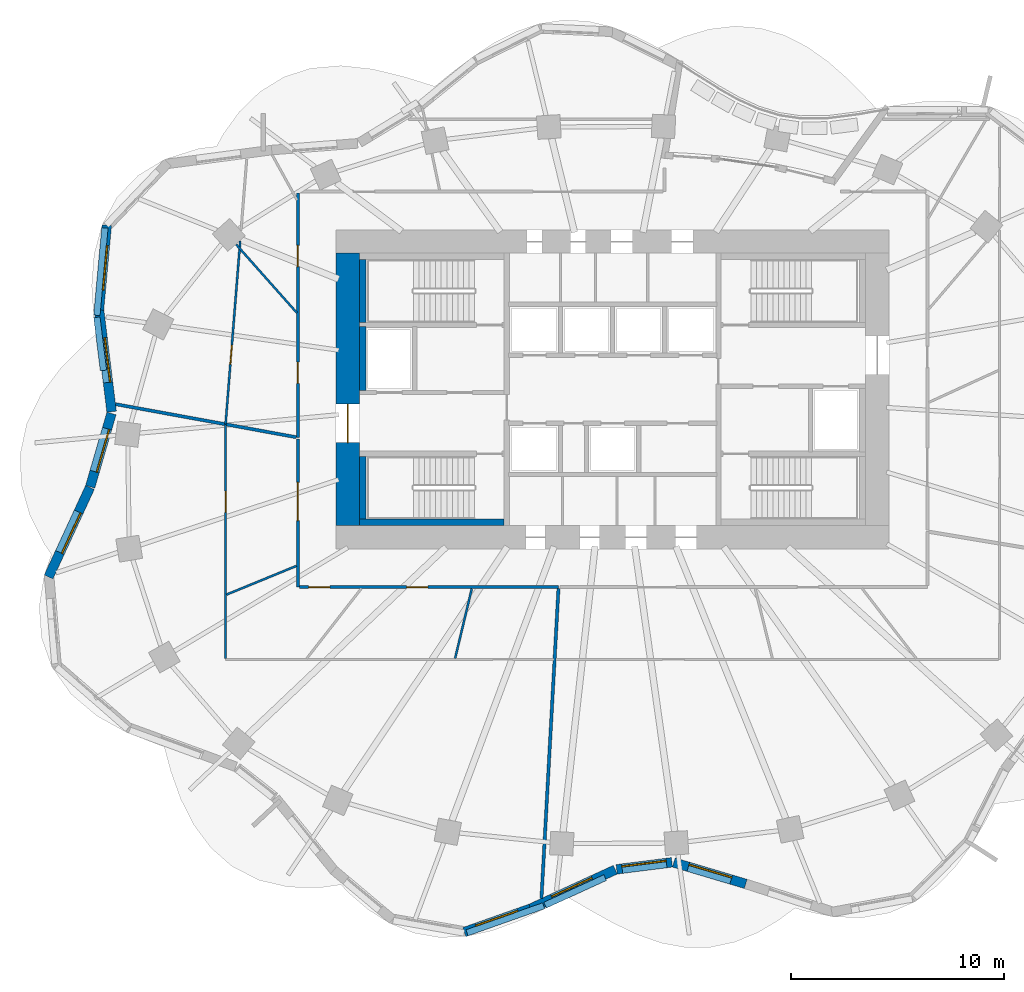
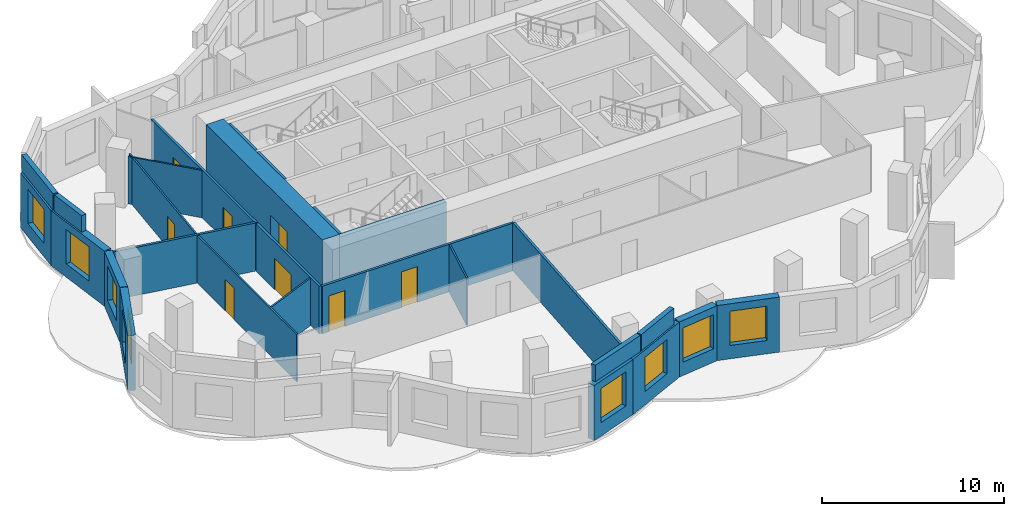
# One storey, part 5 of 11: 27 walls, 8 doors, 8 windows, 16 openings.
"""IFC4 building model written with IfcOpenShell, lengths in metres."""

from ifc_helpers import new_model, si_unit, direction, frame, frame_2d, origin, place, context, subcontext, project, spatial, rectangle, extrude, material, layer, layer_set, type_object, element, fill, save


model = new_model("IFC4")

# Units and contexts
model_context = context("Model", 3, precision=1e-05, world=origin(), true_north=direction((0.0, 1.0)))
body_context = subcontext(model_context, "Body", "Model", "MODEL_VIEW")
ifc_project = project(units=[si_unit("LENGTHUNIT", "METRE"), si_unit("AREAUNIT", "SQUARE_METRE"), si_unit("VOLUMEUNIT", "CUBIC_METRE"), si_unit("PLANEANGLEUNIT", "RADIAN"), si_unit("MASSUNIT", "GRAM", prefix="KILO")], contexts=[model_context])

# Site, building, storey
site_placement = place(None, origin())
site = spatial("IfcSite", under=ifc_project, at=site_placement, CompositionType="ELEMENT")
building_placement = place(site_placement, origin())
building = spatial("IfcBuilding", under=site, at=building_placement, Name="Rubra Terraces Tower", CompositionType="ELEMENT")
storey_placement = place(building_placement, frame((0.0, 0.0, 146.10009765625)))
storey = spatial("IfcBuildingStorey", under=building, at=storey_placement, Name="L35", CompositionType="ELEMENT", Elevation=146.10009765625)

# Wall, opening, window
ifc_material_1 = material(Name="Brick masonry red-brown", Category="masonry")
ifc_layer_1 = layer(ifc_material_1, 0.449951171875)
ifc_layer_set_1 = layer_set([ifc_layer_1], Name="Brick masonry red-brown")
wall_type_1 = type_object("IfcWallType", Name="Brick facade wall 450", PredefinedType="SOLIDWALL", material=ifc_layer_set_1)
wall_1_placement = place(storey_placement, frame((-23.787841796875, 12.21435546875, 0.0), z_axis=(0.0, 0.0, 1.0), x_axis=(-0.091885237351, -0.995769603451, 0.0)))
wall_1 = element("IfcWall", 1, at=wall_1_placement, inside=storey, type_object=wall_type_1, Name="Facade wall L35 bay 18", PredefinedType="SOLIDWALL", context=body_context, shape_type="SweptSolid", body=[
    extrude(rectangle(XDim=3.99609375, YDim=0.449951171875, at=frame_2d((1.998046875, 0.0))), origin(), (0.0, 0.0, 1.0), 3.699951171875),
])
opening_1_placement = place(wall_1_placement, frame((0.947998046875, 0.0, 0.89990234375)))
opening_1 = element("IfcOpeningElement", 2, at=opening_1_placement, cuts=wall_1, Name="Opening W1B", PredefinedType="OPENING", context=body_context, shape_type="SweptSolid", body=[
    extrude(rectangle(XDim=2.10009765625, YDim=2.300048828125, at=frame_2d((1.050048828125, 1.14990234375))), frame((0.0, 0.23486328125, 0.0), z_axis=(0.0, -1.0, 0.0), x_axis=(1.0, 0.0, 0.0)), (0.0, 0.0, 1.0), 0.469970703125),
])
ifc_material_2 = material(Name="Clear glass in aluminium frame", Category="aluminium")
window_type = type_object("IfcWindowType", Name="Fixed deep-set window tall storey 2100 x 2300", PartitioningType="SINGLE_PANEL", PredefinedType="WINDOW", material=ifc_material_2)
window_1_placement = place(opening_1_placement, origin())
window_1 = element("IfcWindow", 3, at=window_1_placement, inside=storey, type_object=window_type, Name="Window L35 bay 18", OverallHeight=2.300048828125, OverallWidth=2.10009765625, PartitioningType="SINGLE_PANEL", PredefinedType="WINDOW", context=body_context, shape_type="SweptSolid", body=[
    extrude(rectangle(XDim=2.10009765625, YDim=2.300048828125, at=frame_2d((1.050048828125, 1.14990234375))), frame((0.0, 0.135009765625, 0.0), z_axis=(0.0, -1.0, 0.0), x_axis=(1.0, 0.0, 0.0)), (0.0, 0.0, 1.0), 0.06005859375),
])
fill(opening_1, window_1)

wall_2_placement = place(storey_placement, frame((-24.15576171875, 8.283203125, 0.0), z_axis=(0.0, 0.0, 1.0), x_axis=(0.122319995681, -0.992490714645, 0.0)))
wall_2 = element("IfcWall", 4, at=wall_2_placement, inside=storey, type_object=wall_type_1, Name="Facade wall L35 bay 19", PredefinedType="SOLIDWALL", context=body_context, shape_type="SweptSolid", body=[
    extrude(rectangle(XDim=4.8720703125, YDim=0.449951171875, at=frame_2d((2.43603515625, 0.0))), origin(), (0.0, 0.0, 1.0), 3.699951171875),
])
opening_2_placement = place(wall_2_placement, frame((1.385986328125, 0.0, 0.89990234375)))
opening_2 = element("IfcOpeningElement", 5, at=opening_2_placement, cuts=wall_2, Name="Opening W1B", PredefinedType="OPENING", context=body_context, shape_type="SweptSolid", body=[
    extrude(rectangle(XDim=2.10009765625, YDim=2.300048828125, at=frame_2d((1.050048828125, 1.14990234375))), frame((0.0, 0.23486328125, 0.0), z_axis=(0.0, -1.0, 0.0), x_axis=(1.0, 0.0, 0.0)), (0.0, 0.0, 1.0), 0.469970703125),
])
window_2_placement = place(opening_2_placement, origin())
window_2 = element("IfcWindow", 6, at=window_2_placement, inside=storey, type_object=window_type, Name="Window L35 bay 19", OverallHeight=2.300048828125, OverallWidth=2.10009765625, PartitioningType="SINGLE_PANEL", PredefinedType="WINDOW", context=body_context, shape_type="SweptSolid", body=[
    extrude(rectangle(XDim=2.10009765625, YDim=2.300048828125, at=frame_2d((1.050048828125, 1.14990234375))), frame((0.0, 0.135009765625, 0.0), z_axis=(0.0, -1.0, 0.0), x_axis=(1.0, 0.0, 0.0)), (0.0, 0.0, 1.0), 0.06005859375),
])
fill(opening_2, window_2)

wall_3_placement = place(storey_placement, frame((-23.565185546875, 3.363525390625, 0.0), z_axis=(0.0, 0.0, 1.0), x_axis=(-0.279148198653, -0.960248032119, 0.0)))
wall_3 = element("IfcWall", 7, at=wall_3_placement, inside=storey, type_object=wall_type_1, Name="Facade wall L35 bay 20", PredefinedType="SOLIDWALL", context=body_context, shape_type="SweptSolid", body=[
    extrude(rectangle(XDim=3.58837890625, YDim=0.449951171875, at=frame_2d((1.794189453125, 0.0))), origin(), (0.0, 0.0, 1.0), 3.699951171875),
])
opening_3_placement = place(wall_3_placement, frame((0.744140625, 0.0, 0.89990234375)))
opening_3 = element("IfcOpeningElement", 8, at=opening_3_placement, cuts=wall_3, Name="Opening W1B", PredefinedType="OPENING", context=body_context, shape_type="SweptSolid", body=[
    extrude(rectangle(XDim=2.10009765625, YDim=2.300048828125, at=frame_2d((1.050048828125, 1.14990234375))), frame((0.0, 0.23486328125, 0.0), z_axis=(0.0, -1.0, 0.0), x_axis=(1.0, 0.0, 0.0)), (0.0, 0.0, 1.0), 0.469970703125),
])
window_3_placement = place(opening_3_placement, origin())
window_3 = element("IfcWindow", 9, at=window_3_placement, inside=storey, type_object=window_type, Name="Window L35 bay 20", OverallHeight=2.300048828125, OverallWidth=2.10009765625, PartitioningType="SINGLE_PANEL", PredefinedType="WINDOW", context=body_context, shape_type="SweptSolid", body=[
    extrude(rectangle(XDim=2.10009765625, YDim=2.300048828125, at=frame_2d((1.050048828125, 1.14990234375))), frame((0.0, 0.135009765625, 0.0), z_axis=(0.0, -1.0, 0.0), x_axis=(1.0, 0.0, 0.0)), (0.0, 0.0, 1.0), 0.06005859375),
])
fill(opening_3, window_3)

wall_4_placement = place(storey_placement, frame((-24.57861328125, -0.115478515625, 0.0), z_axis=(0.0, 0.0, 1.0), x_axis=(-0.419535648317, -0.907738861012, 0.0)))
wall_4 = element("IfcWall", 10, at=wall_4_placement, inside=storey, type_object=wall_type_1, Name="Facade wall L35 bay 21", PredefinedType="SOLIDWALL", context=body_context, shape_type="SweptSolid", body=[
    extrude(rectangle(XDim=4.63623046875, YDim=0.449951171875, at=frame_2d((2.318115234375, 0.0))), origin(), (0.0, 0.0, 1.0), 3.699951171875),
])
opening_4_placement = place(wall_4_placement, frame((1.26806640625, 0.0, 0.89990234375)))
opening_4 = element("IfcOpeningElement", 11, at=opening_4_placement, cuts=wall_4, Name="Opening W1B", PredefinedType="OPENING", context=body_context, shape_type="SweptSolid", body=[
    extrude(rectangle(XDim=2.10009765625, YDim=2.300048828125, at=frame_2d((1.050048828125, 1.14990234375))), frame((0.0, 0.23486328125, 0.0), z_axis=(0.0, -1.0, 0.0), x_axis=(1.0, 0.0, 0.0)), (0.0, 0.0, 1.0), 0.469970703125),
])
window_4_placement = place(opening_4_placement, origin())
window_4 = element("IfcWindow", 12, at=window_4_placement, inside=storey, type_object=window_type, Name="Window L35 bay 21", OverallHeight=2.300048828125, OverallWidth=2.10009765625, PartitioningType="SINGLE_PANEL", PredefinedType="WINDOW", context=body_context, shape_type="SweptSolid", body=[
    extrude(rectangle(XDim=2.10009765625, YDim=2.300048828125, at=frame_2d((1.050048828125, 1.14990234375))), frame((0.0, 0.135009765625, 0.0), z_axis=(0.0, -1.0, 0.0), x_axis=(1.0, 0.0, 0.0)), (0.0, 0.0, 1.0), 0.06005859375),
])
fill(opening_4, window_4)

wall_5_placement = place(storey_placement, frame((-6.973876953125, -21.020751953125, 0.0), z_axis=(0.0, 0.0, 1.0), x_axis=(0.94304763908, 0.3326577076, 0.0)))
wall_5 = element("IfcWall", 13, at=wall_5_placement, inside=storey, type_object=wall_type_1, Name="Facade wall L35 bay 29", PredefinedType="SOLIDWALL", context=body_context, shape_type="SweptSolid", body=[
    extrude(rectangle(XDim=3.302490234375, YDim=0.449951171875, at=frame_2d((1.6513671875, 0.0))), origin(), (0.0, 0.0, 1.0), 3.699951171875),
])
opening_5_placement = place(wall_5_placement, frame((0.601318359375, 0.0, 0.89990234375)))
opening_5 = element("IfcOpeningElement", 14, at=opening_5_placement, cuts=wall_5, Name="Opening W1B", PredefinedType="OPENING", context=body_context, shape_type="SweptSolid", body=[
    extrude(rectangle(XDim=2.10009765625, YDim=2.300048828125, at=frame_2d((1.050048828125, 1.14990234375))), frame((0.0, 0.23486328125, 0.0), z_axis=(0.0, -1.0, 0.0), x_axis=(1.0, 0.0, 0.0)), (0.0, 0.0, 1.0), 0.469970703125),
])
window_5_placement = place(opening_5_placement, origin())
window_5 = element("IfcWindow", 15, at=window_5_placement, inside=storey, type_object=window_type, Name="Window L35 bay 29", OverallHeight=2.300048828125, OverallWidth=2.10009765625, PartitioningType="SINGLE_PANEL", PredefinedType="WINDOW", context=body_context, shape_type="SweptSolid", body=[
    extrude(rectangle(XDim=2.10009765625, YDim=2.300048828125, at=frame_2d((1.050048828125, 1.14990234375))), frame((0.0, 0.135009765625, 0.0), z_axis=(0.0, -1.0, 0.0), x_axis=(1.0, 0.0, 0.0)), (0.0, 0.0, 1.0), 0.06005859375),
])
fill(opening_5, window_5)

wall_6_placement = place(storey_placement, frame((-3.87841796875, -19.929931640625, 0.0), z_axis=(0.0, 0.0, 1.0), x_axis=(0.908679684485, 0.417493989183, 0.0)))
wall_6 = element("IfcWall", 16, at=wall_6_placement, inside=storey, type_object=wall_type_1, Name="Facade wall L35 bay 30", PredefinedType="SOLIDWALL", context=body_context, shape_type="SweptSolid", body=[
    extrude(rectangle(XDim=4.40625, YDim=0.449951171875, at=frame_2d((2.203125, 0.0))), origin(), (0.0, 0.0, 1.0), 3.699951171875),
])
opening_6_placement = place(wall_6_placement, frame((1.1533203125, 0.0, 0.89990234375)))
opening_6 = element("IfcOpeningElement", 17, at=opening_6_placement, cuts=wall_6, Name="Opening W1B", PredefinedType="OPENING", context=body_context, shape_type="SweptSolid", body=[
    extrude(rectangle(XDim=2.10009765625, YDim=2.300048828125, at=frame_2d((1.050048828125, 1.14990234375))), frame((0.0, 0.23486328125, 0.0), z_axis=(0.0, -1.0, 0.0), x_axis=(1.0, 0.0, 0.0)), (0.0, 0.0, 1.0), 0.469970703125),
])
window_6_placement = place(opening_6_placement, origin())
window_6 = element("IfcWindow", 18, at=window_6_placement, inside=storey, type_object=window_type, Name="Window L35 bay 30", OverallHeight=2.300048828125, OverallWidth=2.10009765625, PartitioningType="SINGLE_PANEL", PredefinedType="WINDOW", context=body_context, shape_type="SweptSolid", body=[
    extrude(rectangle(XDim=2.10009765625, YDim=2.300048828125, at=frame_2d((1.050048828125, 1.14990234375))), frame((0.0, 0.135009765625, 0.0), z_axis=(0.0, -1.0, 0.0), x_axis=(1.0, 0.0, 0.0)), (0.0, 0.0, 1.0), 0.06005859375),
])
fill(opening_6, window_6)

wall_7_placement = place(storey_placement, frame((0.191162109375, -18.07177734375, 0.0), z_axis=(0.0, 0.0, 1.0), x_axis=(0.992071255417, 0.125676665198, 0.0)))
wall_7 = element("IfcWall", 19, at=wall_7_placement, inside=storey, type_object=wall_type_1, Name="Facade wall L35 bay 31", PredefinedType="SOLIDWALL", context=body_context, shape_type="SweptSolid", body=[
    extrude(rectangle(XDim=2.61669921875, YDim=0.449951171875, at=frame_2d((1.308349609375, 0.0))), origin(), (0.0, 0.0, 1.0), 3.699951171875),
])
opening_7_placement = place(wall_7_placement, frame((0.25830078125, 0.0, 0.89990234375)))
opening_7 = element("IfcOpeningElement", 20, at=opening_7_placement, cuts=wall_7, Name="Opening W1B", PredefinedType="OPENING", context=body_context, shape_type="SweptSolid", body=[
    extrude(rectangle(XDim=2.10009765625, YDim=2.300048828125, at=frame_2d((1.050048828125, 1.14990234375))), frame((0.0, 0.23486328125, 0.0), z_axis=(0.0, -1.0, 0.0), x_axis=(1.0, 0.0, 0.0)), (0.0, 0.0, 1.0), 0.469970703125),
])
window_7_placement = place(opening_7_placement, origin())
window_7 = element("IfcWindow", 21, at=window_7_placement, inside=storey, type_object=window_type, Name="Window L35 bay 31", OverallHeight=2.300048828125, OverallWidth=2.10009765625, PartitioningType="SINGLE_PANEL", PredefinedType="WINDOW", context=body_context, shape_type="SweptSolid", body=[
    extrude(rectangle(XDim=2.10009765625, YDim=2.300048828125, at=frame_2d((1.050048828125, 1.14990234375))), frame((0.0, 0.135009765625, 0.0), z_axis=(0.0, -1.0, 0.0), x_axis=(1.0, 0.0, 0.0)), (0.0, 0.0, 1.0), 0.06005859375),
])
fill(opening_7, window_7)

wall_8_placement = place(storey_placement, frame((2.876220703125, -17.74951171875, 0.0), z_axis=(0.0, 0.0, 1.0), x_axis=(0.958397358603, -0.28543738897, 0.0)))
wall_8 = element("IfcWall", 22, at=wall_8_placement, inside=storey, type_object=wall_type_1, Name="Facade wall L35 bay 32", PredefinedType="SOLIDWALL", context=body_context, shape_type="SweptSolid", body=[
    extrude(rectangle(XDim=3.530029296875, YDim=0.449951171875, at=frame_2d((1.76513671875, 0.0))), origin(), (0.0, 0.0, 1.0), 3.699951171875),
])
opening_8_placement = place(wall_8_placement, frame((0.715087890625, 0.0, 0.89990234375)))
opening_8 = element("IfcOpeningElement", 23, at=opening_8_placement, cuts=wall_8, Name="Opening W1B", PredefinedType="OPENING", context=body_context, shape_type="SweptSolid", body=[
    extrude(rectangle(XDim=2.10009765625, YDim=2.300048828125, at=frame_2d((1.050048828125, 1.14990234375))), frame((0.0, 0.23486328125, 0.0), z_axis=(0.0, -1.0, 0.0), x_axis=(1.0, 0.0, 0.0)), (0.0, 0.0, 1.0), 0.469970703125),
])
window_8_placement = place(opening_8_placement, origin())
window_8 = element("IfcWindow", 24, at=window_8_placement, inside=storey, type_object=window_type, Name="Window L35 bay 32", OverallHeight=2.300048828125, OverallWidth=2.10009765625, PartitioningType="SINGLE_PANEL", PredefinedType="WINDOW", context=body_context, shape_type="SweptSolid", body=[
    extrude(rectangle(XDim=2.10009765625, YDim=2.300048828125, at=frame_2d((1.050048828125, 1.14990234375))), frame((0.0, 0.135009765625, 0.0), z_axis=(0.0, -1.0, 0.0), x_axis=(1.0, 0.0, 0.0)), (0.0, 0.0, 1.0), 0.06005859375),
])
fill(opening_8, window_8)

# Walls
ifc_layer_2 = layer(ifc_material_1, 0.300048828125)
ifc_layer_set_2 = layer_set([ifc_layer_2], Name="Brick masonry red-brown")
wall_type_2 = type_object("IfcWallType", Name="Brick parapet 300", PredefinedType="PARAPET", material=ifc_layer_set_2)
wall_9_placement = place(storey_placement, frame((-23.875, 12.08740234375, 3.89990234375), z_axis=(0.0, 0.0, 1.0), x_axis=(-0.091842900475, -0.995773509204, 0.0)))
element("IfcWall", 25, at=wall_9_placement, inside=storey, type_object=wall_type_2, Name="Parapet L35 bay 18", PredefinedType="PARAPET", context=body_context, shape_type="SweptSolid", body=[
    extrude(rectangle(XDim=4.12548828125, YDim=0.300048828125, at=frame_2d((2.062744140625, 0.0))), origin(), (0.0, 0.0, 1.0), 1.10009765625),
])
wall_10_placement = place(storey_placement, frame((-24.25244140625, 7.887451171875, 3.89990234375), z_axis=(0.0, 0.0, 1.0), x_axis=(0.122315432018, -0.992491277085, 0.0)))
element("IfcWall", 26, at=wall_10_placement, inside=storey, type_object=wall_type_2, Name="Parapet L35 bay 19", PredefinedType="PARAPET", context=body_context, shape_type="SweptSolid", body=[
    extrude(rectangle(XDim=2.516845703125, YDim=0.300048828125, at=frame_2d((1.25830078125, 0.0))), origin(), (0.0, 0.0, 1.0), 1.10009765625),
])
wall_11_placement = place(storey_placement, frame((-6.846435546875, -21.055419921875, 3.89990234375), z_axis=(0.0, 0.0, 1.0), x_axis=(0.943055230823, 0.33263618507, 0.0)))
element("IfcWall", 27, at=wall_11_placement, inside=storey, type_object=wall_type_2, Name="Parapet L35 bay 29", PredefinedType="PARAPET", context=body_context, shape_type="SweptSolid", body=[
    extrude(rectangle(XDim=3.81884765625, YDim=0.300048828125, at=frame_2d((1.909423828125, 0.0))), origin(), (0.0, 0.0, 1.0), 1.10009765625),
])
wall_12_placement = place(storey_placement, frame((-3.177001953125, -19.75732421875, 3.89990234375), z_axis=(0.0, 0.0, 1.0), x_axis=(0.90873239321, 0.417379249042, 0.0)))
element("IfcWall", 28, at=wall_12_placement, inside=storey, type_object=wall_type_2, Name="Parapet L35 bay 30", PredefinedType="PARAPET", context=body_context, shape_type="SweptSolid", body=[
    extrude(rectangle(XDim=3.10888671875, YDim=0.300048828125, at=frame_2d((1.554443359375, 0.0))), origin(), (0.0, 0.0, 1.0), 1.10009765625),
])

# Wall, opening, door
ifc_material_3 = material(Name="Concrete C60", Category="concrete")
ifc_layer_3 = layer(ifc_material_3, 1.10009765625)
ifc_layer_set_3 = layer_set([ifc_layer_3], Name="Concrete C60")
wall_type_3 = type_object("IfcWallType", Name="CORE WALL 1100 C60", PredefinedType="SHEAR", material=ifc_layer_set_3)
wall_13_placement = place(storey_placement, frame((-12.449951171875, -1.89990234375, 0.0), z_axis=(0.0, 0.0, 1.0), x_axis=(0.0, 1.0, 0.0)))
wall_13 = element("IfcWall", 29, at=wall_13_placement, inside=storey, type_object=wall_type_3, Name="CORE WALL W L35", PredefinedType="SHEAR", context=body_context, shape_type="SweptSolid", body=[
    extrude(rectangle(XDim=12.7998046875, YDim=1.10009765625, at=frame_2d((6.39990234375, 0.0))), origin(), (0.0, 0.0, 1.0), 3.89990234375),
])
opening_9_placement = place(wall_13_placement, frame((3.89990234375, 0.0, 0.0)))
opening_9 = element("IfcOpeningElement", 30, at=opening_9_placement, cuts=wall_13, Name="Opening L35.C01", PredefinedType="OPENING", context=body_context, shape_type="SweptSolid", body=[
    extrude(rectangle(XDim=1.800048828125, YDim=2.10009765625, at=frame_2d((0.89990234375, 1.050048828125))), frame((0.0, 0.56005859375, 0.0), z_axis=(0.0, -1.0, 0.0), x_axis=(1.0, 0.0, 0.0)), (0.0, 0.0, 1.0), 1.1201171875),
])
ifc_material_4 = material(Name="Painted steel", Category="steel")
door_type_1 = type_object("IfcDoorType", Name="Fire door 1800x2100 double", OperationType="NOTDEFINED", PredefinedType="DOOR", material=ifc_material_4)
door_1_placement = place(opening_9_placement, origin())
door_1 = element("IfcDoor", 31, at=door_1_placement, inside=storey, type_object=door_type_1, Name="Core entrance door FF1", OperationType="DOUBLE_DOOR_SINGLE_SWING", OverallHeight=2.10009765625, OverallWidth=1.800048828125, PredefinedType="DOOR", context=body_context, shape_type="SweptSolid", body=[
    extrude(rectangle(XDim=1.800048828125, YDim=2.10009765625, at=frame_2d((0.89990234375, 1.050048828125))), frame((0.0, 0.02490234375, 0.0), z_axis=(0.0, -1.0, 0.0), x_axis=(1.0, 0.0, 0.0)), (0.0, 0.0, 1.0), 0.050048828125),
])
fill(opening_9, door_1)

# Wall, openings, doors
ifc_material_5 = material(Name="Plasterboard on steel stud, mineral wool infill", Category="steel")
ifc_layer_4 = layer(ifc_material_5, 0.14990234375)
ifc_layer_set_4 = layer_set([ifc_layer_4], Name="Plasterboard on steel stud, mineral wool infill")
wall_type_4 = type_object("IfcWallType", Name="CORRIDOR PARTITION 150", PredefinedType="PARTITIONING", material=ifc_layer_set_4)
wall_14_placement = place(storey_placement, frame((-14.800048828125, 13.72509765625, 0.0), z_axis=(0.0, 0.0, 1.0), x_axis=(0.0, -1.0, 0.0)))
wall_14 = element("IfcWall", 32, at=wall_14_placement, inside=storey, type_object=wall_type_4, Name="PARTITION", PredefinedType="PARTITIONING", context=body_context, shape_type="SweptSolid", body=[
    extrude(rectangle(XDim=11.49072265625, YDim=0.14990234375, at=frame_2d((5.745361328125, 0.0))), origin(), (0.0, 0.0, 1.0), 3.197998046875),
])
opening_10_placement = place(wall_14_placement, frame((2.449951171875, 0.0, 0.0)))
opening_10 = element("IfcOpeningElement", 33, at=opening_10_placement, cuts=wall_14, Name="Opening 35-117", PredefinedType="OPENING", context=body_context, shape_type="SweptSolid", body=[
    extrude(rectangle(XDim=1.0, YDim=2.10009765625, at=frame_2d((0.5, 1.050048828125))), frame((0.0, 0.0849609375, 0.0), z_axis=(0.0, -1.0, 0.0), x_axis=(1.0, 0.0, 0.0)), (0.0, 0.0, 1.0), 0.169921875),
])
opening_11_placement = place(wall_14_placement, frame((7.949951171875, 0.0, 0.0)))
opening_11 = element("IfcOpeningElement", 34, at=opening_11_placement, cuts=wall_14, Name="Opening 35-118", PredefinedType="OPENING", context=body_context, shape_type="SweptSolid", body=[
    extrude(rectangle(XDim=1.0, YDim=2.10009765625, at=frame_2d((0.5, 1.050048828125))), frame((0.0, 0.0849609375, 0.0), z_axis=(0.0, -1.0, 0.0), x_axis=(1.0, 0.0, 0.0)), (0.0, 0.0, 1.0), 0.169921875),
])
ifc_material_6 = material(Name="Painted timber door leaf", Category="wood")
door_type_2 = type_object("IfcDoorType", Name="ROOM DOOR 1000 X 2100", OperationType="SINGLE_SWING_LEFT", PredefinedType="DOOR", material=ifc_material_6)
door_2_placement = place(opening_10_placement, origin())
door_2 = element("IfcDoor", 35, at=door_2_placement, inside=storey, type_object=door_type_2, Name="DOOR 35-117", OperationType="SINGLE_SWING_RIGHT", OverallHeight=2.10009765625, OverallWidth=1.0, PredefinedType="DOOR", context=body_context, shape_type="SweptSolid", body=[
    extrude(rectangle(XDim=1.0, YDim=2.10009765625, at=frame_2d((0.5, 1.050048828125))), frame((0.0, 0.02490234375, 0.0), z_axis=(0.0, -1.0, 0.0), x_axis=(1.0, 0.0, 0.0)), (0.0, 0.0, 1.0), 0.050048828125),
])
fill(opening_10, door_2)
door_3_placement = place(opening_11_placement, origin())
door_3 = element("IfcDoor", 36, at=door_3_placement, inside=storey, type_object=door_type_2, Name="DOOR 35-118", OperationType="SINGLE_SWING_RIGHT", OverallHeight=2.10009765625, OverallWidth=1.0, PredefinedType="DOOR", context=body_context, shape_type="SweptSolid", body=[
    extrude(rectangle(XDim=1.0, YDim=2.10009765625, at=frame_2d((0.5, 1.050048828125))), frame((0.0, 0.02490234375, 0.0), z_axis=(0.0, -1.0, 0.0), x_axis=(1.0, 0.0, 0.0)), (0.0, 0.0, 1.0), 0.050048828125),
])
fill(opening_11, door_3)

# Wall, opening, door
wall_15_placement = place(storey_placement, frame((-14.800048828125, 2.1591796875, 0.0), z_axis=(0.0, 0.0, 1.0), x_axis=(0.0, -1.0, 0.0)))
wall_15 = element("IfcWall", 37, at=wall_15_placement, inside=storey, type_object=wall_type_4, Name="PARTITION", PredefinedType="PARTITIONING", context=body_context, shape_type="SweptSolid", body=[
    extrude(rectangle(XDim=6.959228515625, YDim=0.14990234375, at=frame_2d((3.4794921875, 0.0))), origin(), (0.0, 0.0, 1.0), 3.197998046875),
])
opening_12_placement = place(wall_15_placement, frame((2.030029296875, 0.0, 0.0)))
opening_12 = element("IfcOpeningElement", 38, at=opening_12_placement, cuts=wall_15, Name="Opening 35-104", PredefinedType="OPENING", context=body_context, shape_type="SweptSolid", body=[
    extrude(rectangle(XDim=1.800048828125, YDim=2.10009765625, at=frame_2d((0.89990234375, 1.050048828125))), frame((0.0, 0.0849609375, 0.0), z_axis=(0.0, -1.0, 0.0), x_axis=(1.0, 0.0, 0.0)), (0.0, 0.0, 1.0), 0.169921875),
])
ifc_material_7 = material(Name="Painted timber door leaf, double", Category="wood")
door_type_3 = type_object("IfcDoorType", Name="ROOM DOUBLE DOOR 1800 X 2100", OperationType="DOUBLE_DOOR_SINGLE_SWING", PredefinedType="DOOR", material=ifc_material_7)
door_4_placement = place(opening_12_placement, origin())
door_4 = element("IfcDoor", 39, at=door_4_placement, inside=storey, type_object=door_type_3, Name="DOOR 35-104", OperationType="DOUBLE_DOOR_SINGLE_SWING", OverallHeight=2.10009765625, OverallWidth=1.800048828125, PredefinedType="DOOR", context=body_context, shape_type="SweptSolid", body=[
    extrude(rectangle(XDim=1.800048828125, YDim=2.10009765625, at=frame_2d((0.89990234375, 1.050048828125))), frame((0.0, 0.02490234375, 0.0), z_axis=(0.0, -1.0, 0.0), x_axis=(1.0, 0.0, 0.0)), (0.0, 0.0, 1.0), 0.050048828125),
])
fill(opening_12, door_4)

# Wall, openings, doors
wall_16_placement = place(storey_placement, frame((-14.72509765625, -4.800048828125, 0.0), z_axis=(0.0, 0.0, 1.0), x_axis=(1.0, 0.0, 0.0)))
wall_16 = element("IfcWall", 40, at=wall_16_placement, inside=storey, type_object=wall_type_4, Name="PARTITION", PredefinedType="PARTITIONING", context=body_context, shape_type="SweptSolid", body=[
    extrude(rectangle(XDim=12.182861328125, YDim=0.14990234375, at=frame_2d((6.09130859375, 0.0))), origin(), (0.0, 0.0, 1.0), 3.197998046875),
])
opening_13_placement = place(wall_16_placement, frame((0.429931640625, 0.0, 0.0)))
opening_13 = element("IfcOpeningElement", 41, at=opening_13_placement, cuts=wall_16, Name="Opening 35-106", PredefinedType="OPENING", context=body_context, shape_type="SweptSolid", body=[
    extrude(rectangle(XDim=1.0, YDim=2.39990234375, at=frame_2d((0.5, 1.199951171875))), frame((0.0, 0.0849609375, 0.0), z_axis=(0.0, -1.0, 0.0), x_axis=(1.0, 0.0, 0.0)), (0.0, 0.0, 1.0), 0.169921875),
])
opening_14_placement = place(wall_16_placement, frame((5.0400390625, 0.0, 0.0)))
opening_14 = element("IfcOpeningElement", 42, at=opening_14_placement, cuts=wall_16, Name="Opening 35-107", PredefinedType="OPENING", context=body_context, shape_type="SweptSolid", body=[
    extrude(rectangle(XDim=1.0, YDim=2.39990234375, at=frame_2d((0.5, 1.199951171875))), frame((0.0, 0.0849609375, 0.0), z_axis=(0.0, -1.0, 0.0), x_axis=(1.0, 0.0, 0.0)), (0.0, 0.0, 1.0), 0.169921875),
])
ifc_material_8 = material(Name="Glazed aluminium meeting door leaf", Category="aluminium")
door_type_4 = type_object("IfcDoorType", Name="MEETING ROOM GLAZED DOOR 1000 X 2400", OperationType="SINGLE_SWING_LEFT", PredefinedType="DOOR", material=ifc_material_8)
door_5_placement = place(opening_13_placement, origin())
door_5 = element("IfcDoor", 43, at=door_5_placement, inside=storey, type_object=door_type_4, Name="DOOR 35-106", OperationType="SINGLE_SWING_RIGHT", OverallHeight=2.39990234375, OverallWidth=1.0, PredefinedType="DOOR", context=body_context, shape_type="SweptSolid", body=[
    extrude(rectangle(XDim=1.0, YDim=2.39990234375, at=frame_2d((0.5, 1.199951171875))), frame((0.0, 0.02490234375, 0.0), z_axis=(0.0, -1.0, 0.0), x_axis=(1.0, 0.0, 0.0)), (0.0, 0.0, 1.0), 0.050048828125),
])
fill(opening_13, door_5)
door_6_placement = place(opening_14_placement, origin())
door_6 = element("IfcDoor", 44, at=door_6_placement, inside=storey, type_object=door_type_4, Name="DOOR 35-107", OperationType="SINGLE_SWING_RIGHT", OverallHeight=2.39990234375, OverallWidth=1.0, PredefinedType="DOOR", context=body_context, shape_type="SweptSolid", body=[
    extrude(rectangle(XDim=1.0, YDim=2.39990234375, at=frame_2d((0.5, 1.199951171875))), frame((0.0, 0.02490234375, 0.0), z_axis=(0.0, -1.0, 0.0), x_axis=(1.0, 0.0, 0.0)), (0.0, 0.0, 1.0), 0.050048828125),
])
fill(opening_14, door_6)

# Walls
ifc_material_9 = material(Name="Concrete C40", Category="concrete")
ifc_layer_5 = layer(ifc_material_9, 0.300048828125)
ifc_layer_set_5 = layer_set([ifc_layer_5], Name="Concrete C40")
wall_type_5 = type_object("IfcWallType", Name="Core lining wall 300 concrete", PredefinedType="SOLIDWALL", material=ifc_layer_set_5)
wall_17_placement = place(storey_placement, frame((-11.89990234375, -1.75, 0.0), z_axis=(0.0, 0.0, 1.0), x_axis=(1.0, 0.0, 0.0)))
element("IfcWall", 45, at=wall_17_placement, inside=storey, type_object=wall_type_5, Name="CORE LINING WALL L35", PredefinedType="SOLIDWALL", context=body_context, shape_type="SweptSolid", body=[
    extrude(rectangle(XDim=6.7998046875, YDim=0.300048828125, at=frame_2d((3.39990234375, 0.0))), origin(), (0.0, 0.0, 1.0), 3.699951171875),
])
wall_18_placement = place(storey_placement, frame((-11.75, -1.60009765625, 0.0), z_axis=(0.0, 0.0, 1.0), x_axis=(0.0, 1.0, 0.0)))
element("IfcWall", 46, at=wall_18_placement, inside=storey, type_object=wall_type_5, Name="CORE LINING WALL L35", PredefinedType="SOLIDWALL", context=body_context, shape_type="SweptSolid", body=[
    extrude(rectangle(XDim=2.9501953125, YDim=0.300048828125, at=frame_2d((1.47509765625, 0.0))), origin(), (0.0, 0.0, 1.0), 3.699951171875),
])
wall_19_placement = place(storey_placement, frame((-11.75, 4.449951171875, 0.0), z_axis=(0.0, 0.0, 1.0), x_axis=(0.0, 1.0, 0.0)))
element("IfcWall", 47, at=wall_19_placement, inside=storey, type_object=wall_type_5, Name="CORE LINING WALL L35", PredefinedType="SOLIDWALL", context=body_context, shape_type="SweptSolid", body=[
    extrude(rectangle(XDim=3.0, YDim=0.300048828125, at=frame_2d((1.5, 0.0))), origin(), (0.0, 0.0, 1.0), 3.699951171875),
])
wall_20_placement = place(storey_placement, frame((-11.75, 7.64990234375, 0.0), z_axis=(0.0, 0.0, 1.0), x_axis=(0.0, 1.0, 0.0)))
element("IfcWall", 48, at=wall_20_placement, inside=storey, type_object=wall_type_5, Name="CORE LINING WALL L35", PredefinedType="SOLIDWALL", context=body_context, shape_type="SweptSolid", body=[
    extrude(rectangle(XDim=2.9501953125, YDim=0.300048828125, at=frame_2d((1.47509765625, 0.0))), origin(), (0.0, 0.0, 1.0), 3.699951171875),
])

# Wall, opening, door
ifc_material_10 = material(Name="Plasterboard on steel stud", Category="steel")
ifc_layer_6 = layer(ifc_material_10, 0.10009765625)
ifc_layer_set_6 = layer_set([ifc_layer_6], Name="Plasterboard on steel stud")
wall_type_6 = type_object("IfcWallType", Name="ROOM PARTITION 100", PredefinedType="PARTITIONING", material=ifc_layer_set_6)
wall_21_placement = place(storey_placement, frame((-18.199951171875, 2.876220703125, 0.0), z_axis=(0.0, 0.0, 1.0), x_axis=(0.079629418232, 0.99682453609, 0.0)))
wall_21 = element("IfcWall", 49, at=wall_21_placement, inside=storey, type_object=wall_type_6, Name="PARTITION", PredefinedType="PARTITIONING", context=body_context, shape_type="SweptSolid", body=[
    extrude(rectangle(XDim=8.630615234375, YDim=0.10009765625, at=frame_2d((4.3154296875, 0.0))), origin(), (0.0, 0.0, 1.0), 3.183837890625),
])
opening_15_placement = place(wall_21_placement, frame((2.81494140625, 0.0, 0.0)))
opening_15 = element("IfcOpeningElement", 50, at=opening_15_placement, cuts=wall_21, Name="Opening 35-103", PredefinedType="OPENING", context=body_context, shape_type="SweptSolid", body=[
    extrude(rectangle(XDim=0.89990234375, YDim=2.10009765625, at=frame_2d((0.449951171875, 1.050048828125))), frame((0.0, 0.06005859375, 0.0), z_axis=(0.0, -1.0, 0.0), x_axis=(1.0, 0.0, 0.0)), (0.0, 0.0, 1.0), 0.1201171875),
])
door_type_5 = type_object("IfcDoorType", Name="ROOM DOOR 900 X 2100", OperationType="SINGLE_SWING_LEFT", PredefinedType="DOOR", material=ifc_material_6)
door_7_placement = place(opening_15_placement, origin())
door_7 = element("IfcDoor", 51, at=door_7_placement, inside=storey, type_object=door_type_5, Name="DOOR 35-103", OperationType="SINGLE_SWING_LEFT", OverallHeight=2.10009765625, OverallWidth=0.89990234375, PredefinedType="DOOR", context=body_context, shape_type="SweptSolid", body=[
    extrude(rectangle(XDim=0.89990234375, YDim=2.10009765625, at=frame_2d((0.449951171875, 1.050048828125))), frame((0.0, 0.02490234375, 0.0), z_axis=(0.0, -1.0, 0.0), x_axis=(1.0, 0.0, 0.0)), (0.0, 0.0, 1.0), 0.050048828125),
])
fill(opening_15, door_7)

# Wall
wall_22_placement = place(storey_placement, frame((-14.849853515625, 8.098876953125, 0.0), z_axis=(0.0, 0.0, 1.0), x_axis=(-0.664003906353, 0.747729103585, 0.0)))
element("IfcWall", 52, at=wall_22_placement, inside=storey, type_object=wall_type_6, Name="PARTITION", PredefinedType="PARTITIONING", context=body_context, shape_type="SweptSolid", body=[
    extrude(rectangle(XDim=4.295166015625, YDim=0.10009765625, at=frame_2d((2.1474609375, 0.0))), origin(), (0.0, 0.0, 1.0), 3.183837890625),
])

# Wall, opening, door
wall_23_placement = place(storey_placement, frame((-18.199951171875, -8.14990234375, 0.0), z_axis=(0.0, 0.0, 1.0), x_axis=(0.0, 1.0, 0.0)))
wall_23 = element("IfcWall", 53, at=wall_23_placement, inside=storey, type_object=wall_type_6, Name="PARTITION", PredefinedType="PARTITIONING", context=body_context, shape_type="SweptSolid", body=[
    extrude(rectangle(XDim=10.985595703125, YDim=0.10009765625, at=frame_2d((5.49267578125, 0.0))), origin(), (0.0, 0.0, 1.0), 3.183837890625),
])
opening_16_placement = place(wall_23_placement, frame((6.864013671875, 0.0, 0.0)))
opening_16 = element("IfcOpeningElement", 54, at=opening_16_placement, cuts=wall_23, Name="Opening 35-105", PredefinedType="OPENING", context=body_context, shape_type="SweptSolid", body=[
    extrude(rectangle(XDim=1.0, YDim=2.10009765625, at=frame_2d((0.5, 1.050048828125))), frame((0.0, 0.06005859375, 0.0), z_axis=(0.0, -1.0, 0.0), x_axis=(1.0, 0.0, 0.0)), (0.0, 0.0, 1.0), 0.1201171875),
])
door_8_placement = place(opening_16_placement, origin())
door_8 = element("IfcDoor", 55, at=door_8_placement, inside=storey, type_object=door_type_2, Name="DOOR 35-105", OperationType="SINGLE_SWING_RIGHT", OverallHeight=2.10009765625, OverallWidth=1.0, PredefinedType="DOOR", context=body_context, shape_type="SweptSolid", body=[
    extrude(rectangle(XDim=1.0, YDim=2.10009765625, at=frame_2d((0.5, 1.050048828125))), frame((0.0, 0.02490234375, 0.0), z_axis=(0.0, -1.0, 0.0), x_axis=(1.0, 0.0, 0.0)), (0.0, 0.0, 1.0), 0.050048828125),
])
fill(opening_16, door_8)

# Walls
wall_24_placement = place(storey_placement, frame((-14.869384765625, -3.803955078125, 0.0), z_axis=(0.0, 0.0, 1.0), x_axis=(-0.925124650719, -0.379663509746, 0.0)))
element("IfcWall", 56, at=wall_24_placement, inside=storey, type_object=wall_type_6, Name="PARTITION", PredefinedType="PARTITIONING", context=body_context, shape_type="SweptSolid", body=[
    extrude(rectangle(XDim=3.55029296875, YDim=0.10009765625, at=frame_2d((1.775146484375, 0.0))), origin(), (0.0, 0.0, 1.0), 3.183837890625),
])
wall_25_placement = place(storey_placement, frame((-6.622314453125, -4.872802734375, 0.0), z_axis=(0.0, 0.0, 1.0), x_axis=(-0.232759359005, -0.972534359699, 0.0)))
element("IfcWall", 57, at=wall_25_placement, inside=storey, type_object=wall_type_6, Name="PARTITION", PredefinedType="PARTITIONING", context=body_context, shape_type="SweptSolid", body=[
    extrude(rectangle(XDim=3.37109375, YDim=0.10009765625, at=frame_2d((1.685546875, 0.0))), origin(), (0.0, 0.0, 1.0), 3.183837890625),
])
ifc_layer_7 = layer(ifc_material_10, 0.14990234375)
ifc_layer_set_7 = layer_set([ifc_layer_7], Name="Plasterboard on steel stud")
wall_type_7 = type_object("IfcWallType", Name="ROOM PARTITION 150", PredefinedType="PARTITIONING", material=ifc_layer_set_7)
wall_26_placement = place(storey_placement, frame((-23.372802734375, 3.8017578125, 0.0), z_axis=(0.0, 0.0, 1.0), x_axis=(0.983692652106, -0.179857627561, 0.0)))
element("IfcWall", 58, at=wall_26_placement, inside=storey, type_object=wall_type_7, Name="PARTITION", PredefinedType="PARTITIONING", context=body_context, shape_type="SweptSolid", body=[
    extrude(rectangle(XDim=8.639892578125, YDim=0.14990234375, at=frame_2d((4.31982421875, 0.0))), origin(), (0.0, 0.0, 1.0), 3.23388671875),
])
wall_27_placement = place(storey_placement, frame((-3.3466796875, -19.43359375, 0.0), z_axis=(0.0, 0.0, 1.0), x_axis=(0.054887619748, 0.998492538379, 0.0)))
element("IfcWall", 59, at=wall_27_placement, inside=storey, type_object=wall_type_7, Name="PARTITION", PredefinedType="PARTITIONING", context=body_context, shape_type="SweptSolid", body=[
    extrude(rectangle(XDim=14.58056640625, YDim=0.14990234375, at=frame_2d((7.290283203125, 0.0))), origin(), (0.0, 0.0, 1.0), 3.23388671875),
])

save(model, "model.ifc")
